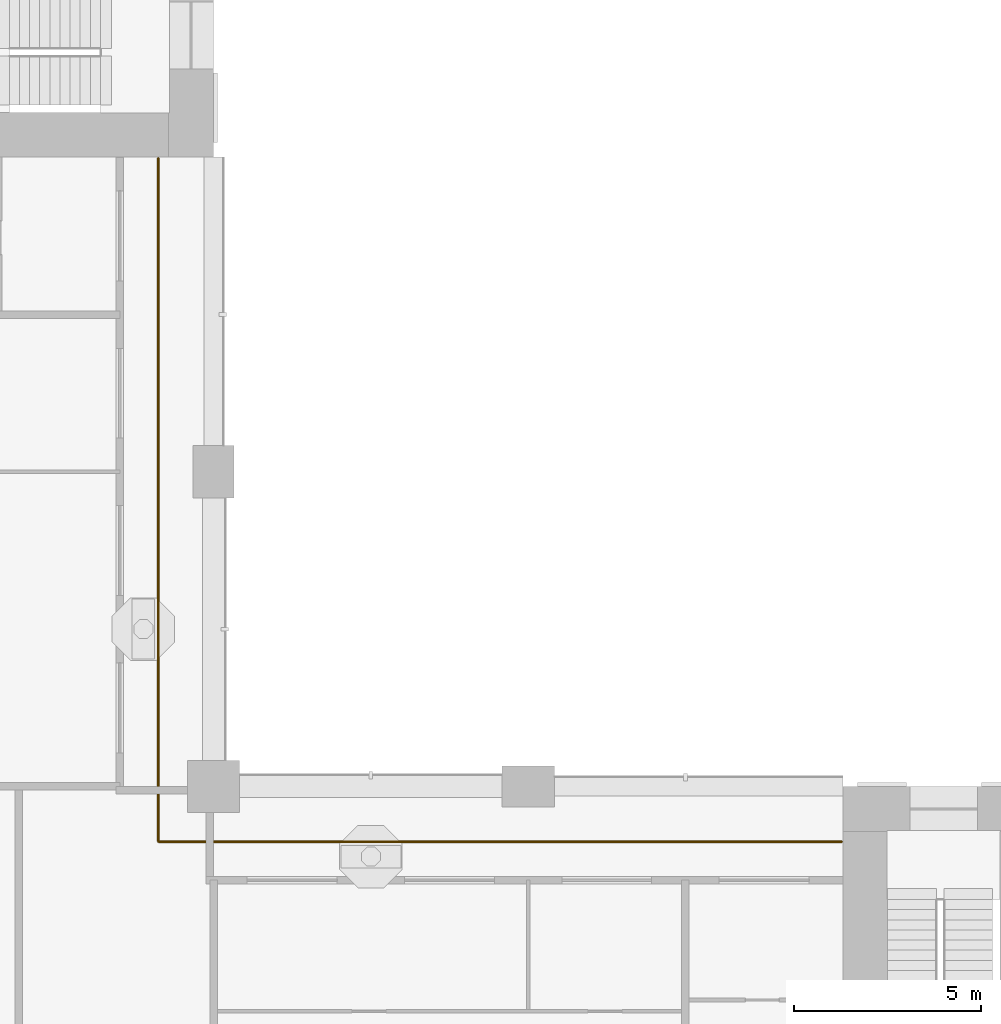
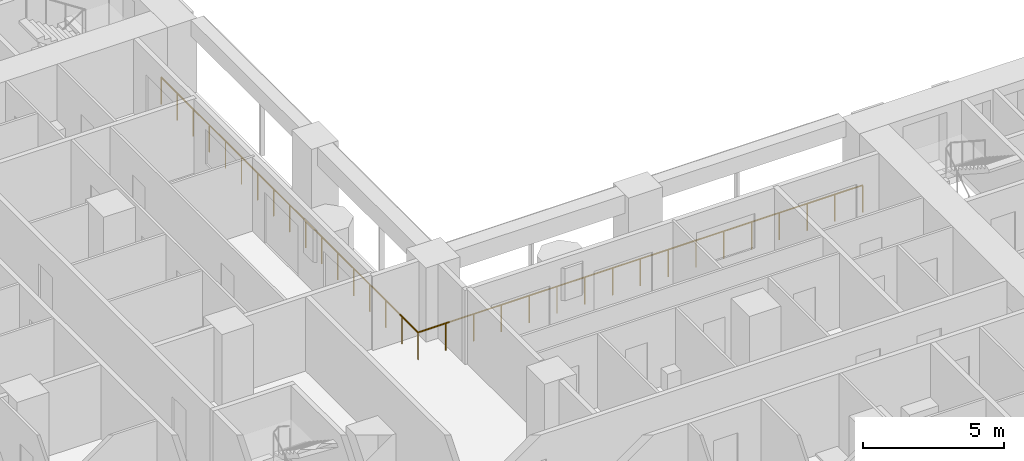
# One storey, part 17 of 22: 1 railing.
"""IFC4 building model written with IfcOpenShell, lengths in metres."""

from ifc_helpers import new_model, si_unit, direction, frame, origin, origin_2d, place, context, subcontext, project, spatial, circle, extrude, material, type_object, element, save


model = new_model("IFC4")

# Units and contexts
model_context = context("Model", 3, precision=1e-05, world=origin(), true_north=direction((0.0, 1.0)))
body_context = subcontext(model_context, "Body", "Model", "MODEL_VIEW")
ifc_project = project(units=[si_unit("LENGTHUNIT", "METRE"), si_unit("AREAUNIT", "SQUARE_METRE"), si_unit("VOLUMEUNIT", "CUBIC_METRE"), si_unit("PLANEANGLEUNIT", "RADIAN"), si_unit("MASSUNIT", "GRAM", prefix="KILO")], contexts=[model_context])

# Site, building, storey
site_placement = place(None, origin())
site = spatial("IfcSite", under=ifc_project, at=site_placement, CompositionType="ELEMENT")
building_placement = place(site_placement, origin())
building = spatial("IfcBuilding", under=site, at=building_placement, Name="Vermilion Gate Residences", CompositionType="ELEMENT")
storey_placement = place(building_placement, frame((0.0, 0.0, 63.699951171875)))
storey = spatial("IfcBuildingStorey", under=building, at=storey_placement, Name="L15", CompositionType="ELEMENT", Elevation=63.699951171875)

# Railing
ifc_material = material(Name="Stainless steel and toughened glass", Category="steel")
railing_type = type_object("IfcRailingType", Name="LOGGIA GUARD STEEL AND GLASS 1200", PredefinedType="GUARDRAIL", material=ifc_material)
railing_placement = place(storey_placement, frame((41.97802734375, 23.72509765625, 0.0)))
element("IfcRailing", 1, at=railing_placement, inside=storey, type_object=railing_type, Name="Loggia guard", PredefinedType="GUARDRAIL", context=body_context, shape_type="SweptSolid", body=[
    extrude(circle(Radius=0.030029296875, at=origin_2d()), frame((0.0, 0.0, 1.169921875), z_axis=(-1.0, 0.0, 0.0), x_axis=(0.0, -1.0, 0.0)), (0.0, 0.0, 1.0), 18.2529296875),
    extrude(circle(Radius=0.030029296875, at=origin_2d()), frame((-18.2529296875, 0.0, 1.169921875), z_axis=(0.0, 1.0, 0.0), x_axis=(-1.0, 0.0, 0.0)), (0.0, 0.0, 1.0), 18.2529296875),
    extrude(circle(Radius=0.02490234375, at=origin_2d()), origin(), (0.0, 0.0, 1.0), 1.139892578125),
    extrude(circle(Radius=0.02490234375, at=origin_2d()), frame((-1.140869140625, 0.0, 0.0)), (0.0, 0.0, 1.0), 1.139892578125),
    extrude(circle(Radius=0.02490234375, at=origin_2d()), frame((-2.28173828125, 0.0, 0.0)), (0.0, 0.0, 1.0), 1.139892578125),
    extrude(circle(Radius=0.02490234375, at=origin_2d()), frame((-3.42236328125, 0.0, 0.0)), (0.0, 0.0, 1.0), 1.139892578125),
    extrude(circle(Radius=0.02490234375, at=origin_2d()), frame((-4.563232421875, 0.0, 0.0)), (0.0, 0.0, 1.0), 1.139892578125),
    extrude(circle(Radius=0.02490234375, at=origin_2d()), frame((-5.7041015625, 0.0, 0.0)), (0.0, 0.0, 1.0), 1.139892578125),
    extrude(circle(Radius=0.02490234375, at=origin_2d()), frame((-6.8447265625, 0.0, 0.0)), (0.0, 0.0, 1.0), 1.139892578125),
    extrude(circle(Radius=0.02490234375, at=origin_2d()), frame((-7.985595703125, 0.0, 0.0)), (0.0, 0.0, 1.0), 1.139892578125),
    extrude(circle(Radius=0.02490234375, at=origin_2d()), frame((-9.12646484375, 0.0, 0.0)), (0.0, 0.0, 1.0), 1.139892578125),
    extrude(circle(Radius=0.02490234375, at=origin_2d()), frame((-10.267333984375, 0.0, 0.0)), (0.0, 0.0, 1.0), 1.139892578125),
    extrude(circle(Radius=0.02490234375, at=origin_2d()), frame((-11.408203125, 0.0, 0.0)), (0.0, 0.0, 1.0), 1.139892578125),
    extrude(circle(Radius=0.02490234375, at=origin_2d()), frame((-12.548828125, 0.0, 0.0)), (0.0, 0.0, 1.0), 1.139892578125),
    extrude(circle(Radius=0.02490234375, at=origin_2d()), frame((-13.689697265625, 0.0, 0.0)), (0.0, 0.0, 1.0), 1.139892578125),
    extrude(circle(Radius=0.02490234375, at=origin_2d()), frame((-14.83056640625, 0.0, 0.0)), (0.0, 0.0, 1.0), 1.139892578125),
    extrude(circle(Radius=0.02490234375, at=origin_2d()), frame((-15.97119140625, 0.0, 0.0)), (0.0, 0.0, 1.0), 1.139892578125),
    extrude(circle(Radius=0.02490234375, at=origin_2d()), frame((-17.112060546875, 0.0, 0.0)), (0.0, 0.0, 1.0), 1.139892578125),
    extrude(circle(Radius=0.02490234375, at=origin_2d()), frame((-18.2529296875, 0.0, 0.0)), (0.0, 0.0, 1.0), 1.139892578125),
    extrude(circle(Radius=0.02490234375, at=origin_2d()), frame((-18.2529296875, 1.140869140625, 0.0)), (0.0, 0.0, 1.0), 1.139892578125),
    extrude(circle(Radius=0.02490234375, at=origin_2d()), frame((-18.2529296875, 2.28173828125, 0.0)), (0.0, 0.0, 1.0), 1.139892578125),
    extrude(circle(Radius=0.02490234375, at=origin_2d()), frame((-18.2529296875, 3.42236328125, 0.0)), (0.0, 0.0, 1.0), 1.139892578125),
    extrude(circle(Radius=0.02490234375, at=origin_2d()), frame((-18.2529296875, 4.563232421875, 0.0)), (0.0, 0.0, 1.0), 1.139892578125),
    extrude(circle(Radius=0.02490234375, at=origin_2d()), frame((-18.2529296875, 5.7041015625, 0.0)), (0.0, 0.0, 1.0), 1.139892578125),
    extrude(circle(Radius=0.02490234375, at=origin_2d()), frame((-18.2529296875, 6.8447265625, 0.0)), (0.0, 0.0, 1.0), 1.139892578125),
    extrude(circle(Radius=0.02490234375, at=origin_2d()), frame((-18.2529296875, 7.985595703125, 0.0)), (0.0, 0.0, 1.0), 1.139892578125),
    extrude(circle(Radius=0.02490234375, at=origin_2d()), frame((-18.2529296875, 9.12646484375, 0.0)), (0.0, 0.0, 1.0), 1.139892578125),
    extrude(circle(Radius=0.02490234375, at=origin_2d()), frame((-18.2529296875, 10.267333984375, 0.0)), (0.0, 0.0, 1.0), 1.139892578125),
    extrude(circle(Radius=0.02490234375, at=origin_2d()), frame((-18.2529296875, 11.408203125, 0.0)), (0.0, 0.0, 1.0), 1.139892578125),
    extrude(circle(Radius=0.02490234375, at=origin_2d()), frame((-18.2529296875, 12.548828125, 0.0)), (0.0, 0.0, 1.0), 1.139892578125),
    extrude(circle(Radius=0.02490234375, at=origin_2d()), frame((-18.2529296875, 13.689697265625, 0.0)), (0.0, 0.0, 1.0), 1.139892578125),
    extrude(circle(Radius=0.02490234375, at=origin_2d()), frame((-18.2529296875, 14.83056640625, 0.0)), (0.0, 0.0, 1.0), 1.139892578125),
    extrude(circle(Radius=0.02490234375, at=origin_2d()), frame((-18.2529296875, 15.97119140625, 0.0)), (0.0, 0.0, 1.0), 1.139892578125),
    extrude(circle(Radius=0.02490234375, at=origin_2d()), frame((-18.2529296875, 17.112060546875, 0.0)), (0.0, 0.0, 1.0), 1.139892578125),
    extrude(circle(Radius=0.02490234375, at=origin_2d()), frame((-18.2529296875, 18.2529296875, 0.0)), (0.0, 0.0, 1.0), 1.139892578125),
])

save(model, "model.ifc")
